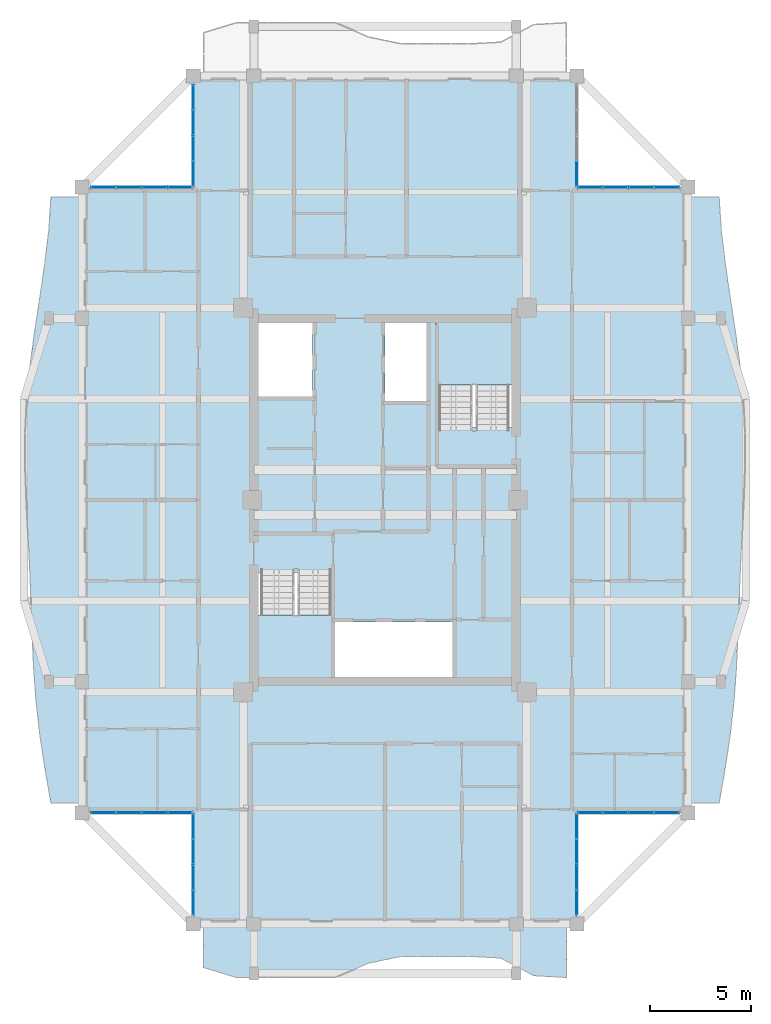
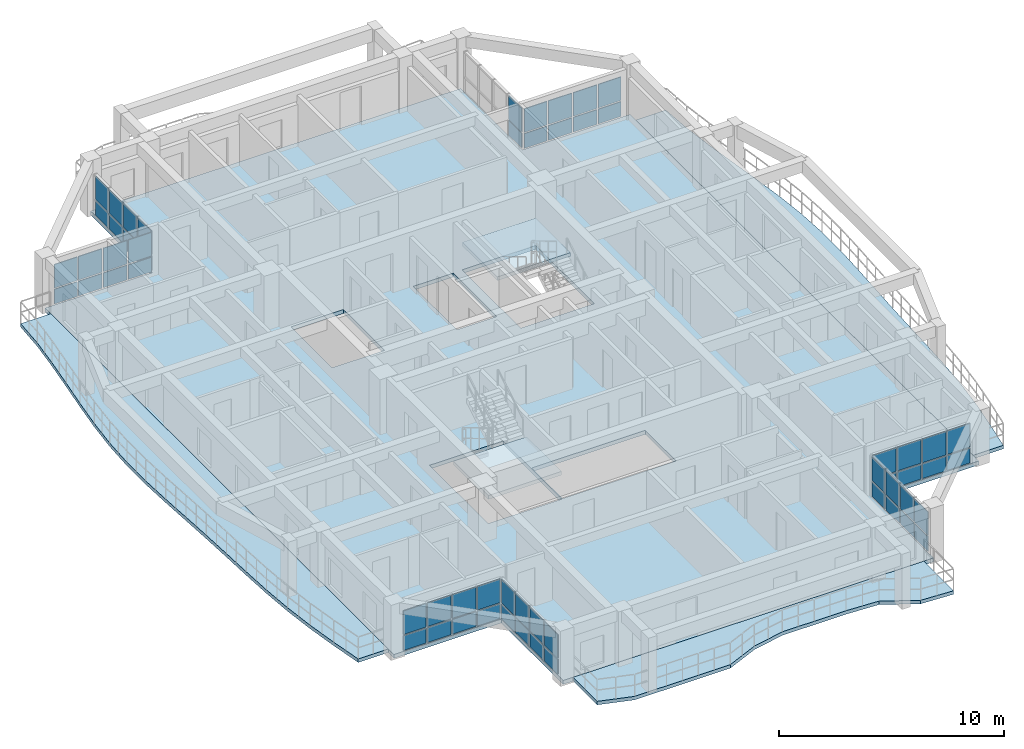
# One storey, part 13 of 24: 58 plates, 6 slabs, 10 elements without a shape of their own.
"""IFC4 building model written with IfcOpenShell, lengths in metres."""

from ifc_helpers import new_model, si_unit, direction, frame, origin, origin_2d, place, context, subcontext, project, spatial, polyline, rectangle, outline, extrude, source, transform, mapped, material, layer, layer_set, type_object, element, aggregate, save


model = new_model("IFC4")

# Units and contexts
model_context = context("Model", 3, precision=1e-05, world=origin(), true_north=direction((0.0, 1.0)))
body_context = subcontext(model_context, "Body", "Model", "MODEL_VIEW")
ifc_project = project(units=[si_unit("LENGTHUNIT", "METRE"), si_unit("AREAUNIT", "SQUARE_METRE"), si_unit("VOLUMEUNIT", "CUBIC_METRE"), si_unit("PLANEANGLEUNIT", "RADIAN"), si_unit("MASSUNIT", "GRAM", prefix="KILO")], contexts=[model_context])

# Site, building, storey
site_placement = place(None, origin())
site = spatial("IfcSite", under=ifc_project, at=site_placement, CompositionType="ELEMENT")
building_placement = place(site_placement, origin())
building = spatial("IfcBuilding", under=site, at=building_placement, Name="Saelheon Loggia Tower", CompositionType="ELEMENT")
storey_placement = place(building_placement, frame((0.0, 0.0, 246.0)))
storey = spatial("IfcBuildingStorey", under=building, at=storey_placement, Name="L76", CompositionType="ELEMENT", Elevation=246.0)

# Slabs
ifc_material_1 = material(Name="Precast Concrete C45/55", Category="concrete")
ifc_layer_1 = layer(ifc_material_1, 0.18994140625)
ifc_layer_set_1 = layer_set([ifc_layer_1], Name="Precast Concrete C45/55")
slab_type_1 = type_object("IfcSlabType", Name="Slab_Loggia_Ext_190", PredefinedType="FLOOR", material=ifc_layer_set_1)
slab_1_placement = place(storey_placement, frame((0.0, 0.0, -0.18994140625)))
element("IfcSlab", 1, at=slab_1_placement, inside=storey, type_object=slab_type_1, Name="L76 Loggia Balcony Slab S", PredefinedType="FLOOR", context=body_context, shape_type="SweptSolid", body=[
    extrude(outline(polyline([(29.0, 3.85009765625), (30.636474609375, 3.35009765625), (32.272705078125, 3.35009765625), (33.9091796875, 3.35009765625), (35.54541015625, 3.35009765625), (37.181884765625, 4.056884765625), (38.818115234375, 4.39990234375), (40.45458984375, 4.39990234375), (42.0908203125, 4.39990234375), (43.727294921875, 4.314697265625), (45.363525390625, 3.44140625), (47.0, 3.35009765625), (47.0, 6.0), (29.0, 6.0), (29.0, 3.85009765625)])), origin(), (0.0, 0.0, 1.0), 0.18994140625),
])
slab_2_placement = place(storey_placement, frame((0.0, 0.0, -0.18994140625)))
element("IfcSlab", 2, at=slab_2_placement, inside=storey, type_object=slab_type_1, Name="L76 Loggia Balcony Slab E", PredefinedType="FLOOR", context=body_context, shape_type="SweptSolid", body=[
    extrude(outline(polyline([(53.0, 12.0), (54.550048828125, 12.0), (54.841796875, 13.666748046875), (55.094482421875, 15.333251953125), (55.283447265625, 17.0), (55.406494140625, 18.666748046875), (55.48193359375, 20.333251953125), (55.53955078125, 22.0), (55.6044921875, 23.666748046875), (55.68603515625, 25.333251953125), (55.771240234375, 27.0), (55.8310546875, 28.666748046875), (55.83154296875, 30.333251953125), (55.75, 32.0), (55.584716796875, 33.666748046875), (55.356689453125, 35.333251953125), (55.102783203125, 37.0), (54.861328125, 38.666748046875), (54.6572265625, 40.333251953125), (54.550048828125, 42.0), (53.0, 42.0), (53.0, 12.0)])), origin(), (0.0, 0.0, 1.0), 0.18994140625),
])
slab_3_placement = place(storey_placement, frame((0.0, 0.0, -0.18994140625)))
element("IfcSlab", 3, at=slab_3_placement, inside=storey, type_object=slab_type_1, Name="L76 Loggia Balcony Slab W", PredefinedType="FLOOR", context=body_context, shape_type="SweptSolid", body=[
    extrude(outline(polyline([(23.0, 12.0), (23.0, 42.0), (21.449951171875, 42.0), (21.3427734375, 40.333251953125), (21.138671875, 38.666748046875), (20.897216796875, 37.0), (20.643310546875, 35.333251953125), (20.415283203125, 33.666748046875), (20.25, 32.0), (20.16845703125, 30.333251953125), (20.1689453125, 28.666748046875), (20.228759765625, 27.0), (20.31396484375, 25.333251953125), (20.3955078125, 23.666748046875), (20.46044921875, 22.0), (20.51806640625, 20.333251953125), (20.593505859375, 18.666748046875), (20.716552734375, 17.0), (20.905517578125, 15.333251953125), (21.158203125, 13.666748046875), (21.449951171875, 12.0), (23.0, 12.0)])), origin(), (0.0, 0.0, 1.0), 0.18994140625),
])

# Stair, slab
ifc_material_2 = material(Name="Concrete C40/50", Category="concrete")
stair_type = type_object("IfcStairType", Name="Stair_Escape_Core", PredefinedType="HALF_TURN_STAIR", material=ifc_material_2)
stair_1_placement = place(storey_placement, origin())
stair_1 = element("IfcStair", 4, at=stair_1_placement, inside=storey, type_object=stair_type, Name="L76 Special Escape Stair ST1", PredefinedType="HALF_TURN_STAIR")
ifc_layer_2 = layer(ifc_material_2, 0.199951171875)
ifc_layer_set_2 = layer_set([ifc_layer_2], Name="Concrete C40/50")
slab_type_2 = type_object("IfcSlabType", Name="Slab_StairLanding_ST1", PredefinedType="LANDING", material=ifc_layer_set_2)
slab_4_placement = place(storey_placement, frame((0.0, 0.0, 1.300048828125)))
slab_4 = element("IfcSlab", 5, at=slab_4_placement, type_object=slab_type_2, Name="ST1 landing 1", PredefinedType="LANDING", context=body_context, shape_type="SweptSolid", body=[
    extrude(outline(polyline([(31.7099609375, 21.31005859375), (31.7099609375, 18.2099609375), (35.469970703125, 18.2099609375), (35.469970703125, 21.31005859375), (31.7099609375, 21.31005859375)])), origin(), (0.0, 0.0, 1.0), 0.199951171875),
])
aggregate(stair_1, [slab_4])

stair_2_placement = place(storey_placement, origin())
stair_2 = element("IfcStair", 6, at=stair_2_placement, inside=storey, type_object=stair_type, Name="L76 Special Escape Stair ST2", PredefinedType="HALF_TURN_STAIR")
ifc_layer_3 = layer(ifc_material_2, 0.199951171875)
ifc_layer_set_3 = layer_set([ifc_layer_3], Name="Concrete C40/50")
slab_type_3 = type_object("IfcSlabType", Name="Slab_StairLanding_ST2", PredefinedType="LANDING", material=ifc_layer_set_3)
slab_5_placement = place(storey_placement, frame((0.0, 0.0, 1.300048828125)))
slab_5 = element("IfcSlab", 7, at=slab_5_placement, type_object=slab_type_3, Name="ST2 landing 1", PredefinedType="LANDING", context=body_context, shape_type="SweptSolid", body=[
    extrude(outline(polyline([(44.2900390625, 32.68994140625), (44.2900390625, 35.7900390625), (40.530029296875, 35.7900390625), (40.530029296875, 32.68994140625), (44.2900390625, 32.68994140625)])), origin(), (0.0, 0.0, 1.0), 0.199951171875),
])
aggregate(stair_2, [slab_5])

# Slab
ifc_layer_4 = layer(ifc_material_2, 0.2099609375)
ifc_layer_set_4 = layer_set([ifc_layer_4], Name="Concrete C40/50")
slab_type_4 = type_object("IfcSlabType", Name="Slab_Tower_210", PredefinedType="FLOOR", material=ifc_layer_set_4)
slab_6_placement = place(storey_placement, frame((0.0, 0.0, -0.2099609375)))
element("IfcSlab", 8, at=slab_6_placement, inside=storey, type_object=slab_type_4, Name="L76 Tower Floor Slab", PredefinedType="FLOOR", context=body_context, shape_type="SweptSolid", body=[
    extrude(outline(polyline([(28.5, 6.0), (47.5, 6.0), (47.5, 11.5), (53.0, 11.5), (53.0, 42.5), (47.5, 42.5), (47.5, 48.0), (28.5, 48.0), (28.5, 42.5), (23.0, 42.5), (23.0, 11.5), (28.5, 11.5), (28.5, 6.0)]), holes=[polyline([(31.699951171875, 23.409912109375), (31.699951171875, 18.199951171875), (35.47998046875, 18.199951171875), (35.47998046875, 23.409912109375), (31.699951171875, 23.409912109375)]), polyline([(44.300048828125, 30.590087890625), (44.300048828125, 35.800048828125), (40.52001953125, 35.800048828125), (40.52001953125, 30.590087890625), (44.300048828125, 30.590087890625)]), polyline([(35.530029296875, 18.22509765625), (41.35009765625, 18.22509765625), (41.35009765625, 20.9599609375), (35.530029296875, 20.9599609375), (35.530029296875, 18.22509765625)]), polyline([(31.72509765625, 32.1201171875), (34.419921875, 32.1201171875), (34.419921875, 35.77490234375), (31.72509765625, 35.77490234375), (31.72509765625, 32.1201171875)]), polyline([(38.0, 31.89990234375), (40.050048828125, 31.89990234375), (40.050048828125, 35.77490234375), (38.0, 35.77490234375), (38.0, 31.89990234375)])]), origin(), (0.0, 0.0, 1.0), 0.2099609375),
])

# Curtain wall, plates
ifc_material_3 = material(Name="High-Wind Aluminium and Triple Laminated Glass", Category="aluminium")
ifc_layer_5 = layer(ifc_material_3, 0.179931640625)
ifc_layer_set_5 = layer_set([ifc_layer_5], Name="High-Wind Aluminium and Triple Laminated Glass")
curtain_wall_type = type_object("IfcCurtainWallType", Name="CW_TowerLoggiaHigh", PredefinedType="NOTDEFINED", material=ifc_layer_set_5)
curtain_wall_1_placement = place(storey_placement, origin())
curtain_wall_1 = element("IfcCurtainWall", 9, at=curtain_wall_1_placement, inside=storey, type_object=curtain_wall_type, Name="L76 Corner Notch Glazing SW1", PredefinedType="NOTDEFINED")
ifc_material_4 = material(Name="Triple Low-E Laminated Glazing", Category="glass")
ifc_layer_6 = layer(ifc_material_4, 0.0439453125)
ifc_layer_set_6 = layer_set([ifc_layer_6], Name="Triple Low-E Laminated Glazing")
plate_type = type_object("IfcPlateType", Name="CW_TowerLoggiaHigh_Panel", PredefinedType="CURTAIN_PANEL", material=ifc_layer_set_6)
shared_shape_1 = source(origin(), body_context, "Body", "SweptSolid", [
    extrude(rectangle(XDim=1.172607421875, YDim=0.0439453125, at=origin_2d()), origin(), (0.0, 0.0, 1.0), 0.794921875),
])
plate_1_placement = place(storey_placement, frame((28.5, 7.046142578125, 0.070068359375), z_axis=(0.0, 0.0, 1.0), x_axis=(0.0, 1.0, 0.0)))
plate_1 = element("IfcPlate", 10, at=plate_1_placement, type_object=plate_type, Name="CW4 panel 1.1", PredefinedType="CURTAIN_PANEL", context=body_context, shape_type="MappedRepresentation", body=[
    mapped(shared_shape_1, transform((0.0, 0.0, 0.0), scale=1.0)),
])
plate_2_placement = place(storey_placement, frame((28.5, 10.84375, 0.070068359375), z_axis=(0.0, 0.0, 1.0), x_axis=(0.0, 1.0, 0.0)))
plate_2 = element("IfcPlate", 11, at=plate_2_placement, type_object=plate_type, Name="CW4 panel 4.1", PredefinedType="CURTAIN_PANEL", context=body_context, shape_type="MappedRepresentation", body=[
    mapped(shared_shape_1, transform((0.0, 0.0, 0.0), scale=1.0)),
])

curtain_wall_2_placement = place(storey_placement, origin())
curtain_wall_2 = element("IfcCurtainWall", 12, at=curtain_wall_2_placement, inside=storey, type_object=curtain_wall_type, Name="L76 Corner Notch Glazing SW2", PredefinedType="NOTDEFINED")
plate_3_placement = place(storey_placement, frame((24.046142578125, 11.5, 0.070068359375), z_axis=(0.0, 0.0, 1.0), x_axis=(1.0, 0.0, 0.0)))
plate_3 = element("IfcPlate", 13, at=plate_3_placement, type_object=plate_type, Name="CW4 panel 1.1", PredefinedType="CURTAIN_PANEL", context=body_context, shape_type="MappedRepresentation", body=[
    mapped(shared_shape_1, transform((0.0, 0.0, 0.0), scale=1.0)),
])
plate_4_placement = place(storey_placement, frame((27.84375, 11.5, 0.070068359375), z_axis=(0.0, 0.0, 1.0), x_axis=(1.0, 0.0, 0.0)))
plate_4 = element("IfcPlate", 14, at=plate_4_placement, type_object=plate_type, Name="CW4 panel 4.1", PredefinedType="CURTAIN_PANEL", context=body_context, shape_type="MappedRepresentation", body=[
    mapped(shared_shape_1, transform((0.0, 0.0, 0.0), scale=1.0)),
])

curtain_wall_3_placement = place(storey_placement, origin())
curtain_wall_3 = element("IfcCurtainWall", 15, at=curtain_wall_3_placement, inside=storey, type_object=curtain_wall_type, Name="L76 Corner Notch Glazing SE1", PredefinedType="NOTDEFINED")
plate_5_placement = place(storey_placement, frame((47.5, 7.046142578125, 0.070068359375), z_axis=(0.0, 0.0, 1.0), x_axis=(0.0, 1.0, 0.0)))
plate_5 = element("IfcPlate", 16, at=plate_5_placement, type_object=plate_type, Name="CW4 panel 1.1", PredefinedType="CURTAIN_PANEL", context=body_context, shape_type="MappedRepresentation", body=[
    mapped(shared_shape_1, transform((0.0, 0.0, 0.0), scale=1.0)),
])
plate_6_placement = place(storey_placement, frame((47.5, 10.84375, 0.070068359375), z_axis=(0.0, 0.0, 1.0), x_axis=(0.0, 1.0, 0.0)))
plate_6 = element("IfcPlate", 17, at=plate_6_placement, type_object=plate_type, Name="CW4 panel 4.1", PredefinedType="CURTAIN_PANEL", context=body_context, shape_type="MappedRepresentation", body=[
    mapped(shared_shape_1, transform((0.0, 0.0, 0.0), scale=1.0)),
])

curtain_wall_4_placement = place(storey_placement, origin())
curtain_wall_4 = element("IfcCurtainWall", 18, at=curtain_wall_4_placement, inside=storey, type_object=curtain_wall_type, Name="L76 Corner Notch Glazing SE2", PredefinedType="NOTDEFINED")
plate_7_placement = place(storey_placement, frame((48.15625, 11.5, 0.070068359375), z_axis=(0.0, 0.0, 1.0), x_axis=(1.0, 0.0, 0.0)))
plate_7 = element("IfcPlate", 19, at=plate_7_placement, type_object=plate_type, Name="CW4 panel 1.1", PredefinedType="CURTAIN_PANEL", context=body_context, shape_type="MappedRepresentation", body=[
    mapped(shared_shape_1, transform((0.0, 0.0, 0.0), scale=1.0)),
])
plate_8_placement = place(storey_placement, frame((51.953857421875, 11.5, 0.070068359375), z_axis=(0.0, 0.0, 1.0), x_axis=(1.0, 0.0, 0.0)))
plate_8 = element("IfcPlate", 20, at=plate_8_placement, type_object=plate_type, Name="CW4 panel 4.1", PredefinedType="CURTAIN_PANEL", context=body_context, shape_type="MappedRepresentation", body=[
    mapped(shared_shape_1, transform((0.0, 0.0, 0.0), scale=1.0)),
])

curtain_wall_5_placement = place(storey_placement, origin())
curtain_wall_5 = element("IfcCurtainWall", 21, at=curtain_wall_5_placement, inside=storey, type_object=curtain_wall_type, Name="L76 Corner Notch Glazing NW1", PredefinedType="NOTDEFINED")
plate_9_placement = place(storey_placement, frame((28.5, 43.15625, 0.070068359375), z_axis=(0.0, 0.0, 1.0), x_axis=(0.0, 1.0, 0.0)))
plate_9 = element("IfcPlate", 22, at=plate_9_placement, type_object=plate_type, Name="CW4 panel 1.1", PredefinedType="CURTAIN_PANEL", context=body_context, shape_type="MappedRepresentation", body=[
    mapped(shared_shape_1, transform((0.0, 0.0, 0.0), scale=1.0)),
])
plate_10_placement = place(storey_placement, frame((28.5, 46.953857421875, 0.070068359375), z_axis=(0.0, 0.0, 1.0), x_axis=(0.0, 1.0, 0.0)))
plate_10 = element("IfcPlate", 23, at=plate_10_placement, type_object=plate_type, Name="CW4 panel 4.1", PredefinedType="CURTAIN_PANEL", context=body_context, shape_type="MappedRepresentation", body=[
    mapped(shared_shape_1, transform((0.0, 0.0, 0.0), scale=1.0)),
])

curtain_wall_6_placement = place(storey_placement, origin())
curtain_wall_6 = element("IfcCurtainWall", 24, at=curtain_wall_6_placement, inside=storey, type_object=curtain_wall_type, Name="L76 Corner Notch Glazing NW2", PredefinedType="NOTDEFINED")
plate_11_placement = place(storey_placement, frame((24.046142578125, 42.5, 0.070068359375), z_axis=(0.0, 0.0, 1.0), x_axis=(1.0, 0.0, 0.0)))
plate_11 = element("IfcPlate", 25, at=plate_11_placement, type_object=plate_type, Name="CW4 panel 1.1", PredefinedType="CURTAIN_PANEL", context=body_context, shape_type="MappedRepresentation", body=[
    mapped(shared_shape_1, transform((0.0, 0.0, 0.0), scale=1.0)),
])
plate_12_placement = place(storey_placement, frame((27.84375, 42.5, 0.070068359375), z_axis=(0.0, 0.0, 1.0), x_axis=(1.0, 0.0, 0.0)))
plate_12 = element("IfcPlate", 26, at=plate_12_placement, type_object=plate_type, Name="CW4 panel 4.1", PredefinedType="CURTAIN_PANEL", context=body_context, shape_type="MappedRepresentation", body=[
    mapped(shared_shape_1, transform((0.0, 0.0, 0.0), scale=1.0)),
])

# Curtain wall, plate
curtain_wall_7_placement = place(storey_placement, origin())
curtain_wall_7 = element("IfcCurtainWall", 27, at=curtain_wall_7_placement, inside=storey, type_object=curtain_wall_type, Name="L76 Corner Notch Glazing NE1", PredefinedType="NOTDEFINED")
plate_13_placement = place(storey_placement, frame((47.5, 43.15625, 0.070068359375), z_axis=(0.0, 0.0, 1.0), x_axis=(0.0, 1.0, 0.0)))
plate_13 = element("IfcPlate", 28, at=plate_13_placement, type_object=plate_type, Name="CW4 panel 1.1", PredefinedType="CURTAIN_PANEL", context=body_context, shape_type="MappedRepresentation", body=[
    mapped(shared_shape_1, transform((0.0, 0.0, 0.0), scale=1.0)),
])

# Curtain wall, plates
curtain_wall_8_placement = place(storey_placement, origin())
curtain_wall_8 = element("IfcCurtainWall", 29, at=curtain_wall_8_placement, inside=storey, type_object=curtain_wall_type, Name="L76 Corner Notch Glazing NE2", PredefinedType="NOTDEFINED")
plate_14_placement = place(storey_placement, frame((48.15625, 42.5, 0.070068359375), z_axis=(0.0, 0.0, 1.0), x_axis=(1.0, 0.0, 0.0)))
plate_14 = element("IfcPlate", 30, at=plate_14_placement, type_object=plate_type, Name="CW4 panel 1.1", PredefinedType="CURTAIN_PANEL", context=body_context, shape_type="MappedRepresentation", body=[
    mapped(shared_shape_1, transform((0.0, 0.0, 0.0), scale=1.0)),
])
plate_15_placement = place(storey_placement, frame((51.953857421875, 42.5, 0.070068359375), z_axis=(0.0, 0.0, 1.0), x_axis=(1.0, 0.0, 0.0)))
plate_15 = element("IfcPlate", 31, at=plate_15_placement, type_object=plate_type, Name="CW4 panel 4.1", PredefinedType="CURTAIN_PANEL", context=body_context, shape_type="MappedRepresentation", body=[
    mapped(shared_shape_1, transform((0.0, 0.0, 0.0), scale=1.0)),
])

# Plate
shared_shape_2 = source(origin(), body_context, "Body", "SweptSolid", [
    extrude(rectangle(XDim=1.20751953125, YDim=0.0439453125, at=origin_2d()), origin(), (0.0, 0.0, 1.0), 0.794921875),
])
plate_16_placement = place(storey_placement, frame((28.5, 8.30615234375, 0.070068359375), z_axis=(0.0, 0.0, 1.0), x_axis=(0.0, 1.0, 0.0)))
plate_16 = element("IfcPlate", 32, at=plate_16_placement, type_object=plate_type, Name="CW4 panel 2.1", PredefinedType="CURTAIN_PANEL", context=body_context, shape_type="MappedRepresentation", body=[
    mapped(shared_shape_2, transform((0.0, 0.0, 0.0), scale=1.0)),
])

plate_17_placement = place(storey_placement, frame((28.5, 9.583740234375, 0.070068359375), z_axis=(0.0, 0.0, 1.0), x_axis=(0.0, 1.0, 0.0)))
plate_17 = element("IfcPlate", 33, at=plate_17_placement, type_object=plate_type, Name="CW4 panel 3.1", PredefinedType="CURTAIN_PANEL", context=body_context, shape_type="MappedRepresentation", body=[
    mapped(shared_shape_2, transform((0.0, 0.0, 0.0), scale=1.0)),
])

plate_18_placement = place(storey_placement, frame((25.30615234375, 11.5, 0.070068359375), z_axis=(0.0, 0.0, 1.0), x_axis=(1.0, 0.0, 0.0)))
plate_18 = element("IfcPlate", 34, at=plate_18_placement, type_object=plate_type, Name="CW4 panel 2.1", PredefinedType="CURTAIN_PANEL", context=body_context, shape_type="MappedRepresentation", body=[
    mapped(shared_shape_2, transform((0.0, 0.0, 0.0), scale=1.0)),
])

plate_19_placement = place(storey_placement, frame((26.583740234375, 11.5, 0.070068359375), z_axis=(0.0, 0.0, 1.0), x_axis=(1.0, 0.0, 0.0)))
plate_19 = element("IfcPlate", 35, at=plate_19_placement, type_object=plate_type, Name="CW4 panel 3.1", PredefinedType="CURTAIN_PANEL", context=body_context, shape_type="MappedRepresentation", body=[
    mapped(shared_shape_2, transform((0.0, 0.0, 0.0), scale=1.0)),
])

plate_20_placement = place(storey_placement, frame((47.5, 8.30615234375, 0.070068359375), z_axis=(0.0, 0.0, 1.0), x_axis=(0.0, 1.0, 0.0)))
plate_20 = element("IfcPlate", 36, at=plate_20_placement, type_object=plate_type, Name="CW4 panel 2.1", PredefinedType="CURTAIN_PANEL", context=body_context, shape_type="MappedRepresentation", body=[
    mapped(shared_shape_2, transform((0.0, 0.0, 0.0), scale=1.0)),
])

plate_21_placement = place(storey_placement, frame((47.5, 9.583740234375, 0.070068359375), z_axis=(0.0, 0.0, 1.0), x_axis=(0.0, 1.0, 0.0)))
plate_21 = element("IfcPlate", 37, at=plate_21_placement, type_object=plate_type, Name="CW4 panel 3.1", PredefinedType="CURTAIN_PANEL", context=body_context, shape_type="MappedRepresentation", body=[
    mapped(shared_shape_2, transform((0.0, 0.0, 0.0), scale=1.0)),
])

plate_22_placement = place(storey_placement, frame((49.416259765625, 11.5, 0.070068359375), z_axis=(0.0, 0.0, 1.0), x_axis=(1.0, 0.0, 0.0)))
plate_22 = element("IfcPlate", 38, at=plate_22_placement, type_object=plate_type, Name="CW4 panel 2.1", PredefinedType="CURTAIN_PANEL", context=body_context, shape_type="MappedRepresentation", body=[
    mapped(shared_shape_2, transform((0.0, 0.0, 0.0), scale=1.0)),
])

plate_23_placement = place(storey_placement, frame((50.69384765625, 11.5, 0.070068359375), z_axis=(0.0, 0.0, 1.0), x_axis=(1.0, 0.0, 0.0)))
plate_23 = element("IfcPlate", 39, at=plate_23_placement, type_object=plate_type, Name="CW4 panel 3.1", PredefinedType="CURTAIN_PANEL", context=body_context, shape_type="MappedRepresentation", body=[
    mapped(shared_shape_2, transform((0.0, 0.0, 0.0), scale=1.0)),
])

plate_24_placement = place(storey_placement, frame((28.5, 44.416259765625, 0.070068359375), z_axis=(0.0, 0.0, 1.0), x_axis=(0.0, 1.0, 0.0)))
plate_24 = element("IfcPlate", 40, at=plate_24_placement, type_object=plate_type, Name="CW4 panel 2.1", PredefinedType="CURTAIN_PANEL", context=body_context, shape_type="MappedRepresentation", body=[
    mapped(shared_shape_2, transform((0.0, 0.0, 0.0), scale=1.0)),
])

plate_25_placement = place(storey_placement, frame((28.5, 45.69384765625, 0.070068359375), z_axis=(0.0, 0.0, 1.0), x_axis=(0.0, 1.0, 0.0)))
plate_25 = element("IfcPlate", 41, at=plate_25_placement, type_object=plate_type, Name="CW4 panel 3.1", PredefinedType="CURTAIN_PANEL", context=body_context, shape_type="MappedRepresentation", body=[
    mapped(shared_shape_2, transform((0.0, 0.0, 0.0), scale=1.0)),
])

plate_26_placement = place(storey_placement, frame((25.30615234375, 42.5, 0.070068359375), z_axis=(0.0, 0.0, 1.0), x_axis=(1.0, 0.0, 0.0)))
plate_26 = element("IfcPlate", 42, at=plate_26_placement, type_object=plate_type, Name="CW4 panel 2.1", PredefinedType="CURTAIN_PANEL", context=body_context, shape_type="MappedRepresentation", body=[
    mapped(shared_shape_2, transform((0.0, 0.0, 0.0), scale=1.0)),
])

plate_27_placement = place(storey_placement, frame((26.583740234375, 42.5, 0.070068359375), z_axis=(0.0, 0.0, 1.0), x_axis=(1.0, 0.0, 0.0)))
plate_27 = element("IfcPlate", 43, at=plate_27_placement, type_object=plate_type, Name="CW4 panel 3.1", PredefinedType="CURTAIN_PANEL", context=body_context, shape_type="MappedRepresentation", body=[
    mapped(shared_shape_2, transform((0.0, 0.0, 0.0), scale=1.0)),
])

plate_28_placement = place(storey_placement, frame((49.416259765625, 42.5, 0.070068359375), z_axis=(0.0, 0.0, 1.0), x_axis=(1.0, 0.0, 0.0)))
plate_28 = element("IfcPlate", 44, at=plate_28_placement, type_object=plate_type, Name="CW4 panel 2.1", PredefinedType="CURTAIN_PANEL", context=body_context, shape_type="MappedRepresentation", body=[
    mapped(shared_shape_2, transform((0.0, 0.0, 0.0), scale=1.0)),
])

plate_29_placement = place(storey_placement, frame((50.69384765625, 42.5, 0.070068359375), z_axis=(0.0, 0.0, 1.0), x_axis=(1.0, 0.0, 0.0)))
plate_29 = element("IfcPlate", 45, at=plate_29_placement, type_object=plate_type, Name="CW4 panel 3.1", PredefinedType="CURTAIN_PANEL", context=body_context, shape_type="MappedRepresentation", body=[
    mapped(shared_shape_2, transform((0.0, 0.0, 0.0), scale=1.0)),
])

shared_shape_3 = source(origin(), body_context, "Body", "SweptSolid", [
    extrude(rectangle(XDim=1.172607421875, YDim=0.0439453125, at=origin_2d()), origin(), (0.0, 0.0, 1.0), 1.27490234375),
])
plate_30_placement = place(storey_placement, frame((28.5, 7.046142578125, 0.93505859375), z_axis=(0.0, 0.0, 1.0), x_axis=(0.0, 1.0, 0.0)))
plate_30 = element("IfcPlate", 46, at=plate_30_placement, type_object=plate_type, Name="CW4 panel 1.2", PredefinedType="CURTAIN_PANEL", context=body_context, shape_type="MappedRepresentation", body=[
    mapped(shared_shape_3, transform((0.0, 0.0, 0.0), scale=1.0)),
])

plate_31_placement = place(storey_placement, frame((28.5, 10.84375, 0.93505859375), z_axis=(0.0, 0.0, 1.0), x_axis=(0.0, 1.0, 0.0)))
plate_31 = element("IfcPlate", 47, at=plate_31_placement, type_object=plate_type, Name="CW4 panel 4.2", PredefinedType="CURTAIN_PANEL", context=body_context, shape_type="MappedRepresentation", body=[
    mapped(shared_shape_3, transform((0.0, 0.0, 0.0), scale=1.0)),
])

plate_32_placement = place(storey_placement, frame((24.046142578125, 11.5, 0.93505859375), z_axis=(0.0, 0.0, 1.0), x_axis=(1.0, 0.0, 0.0)))
plate_32 = element("IfcPlate", 48, at=plate_32_placement, type_object=plate_type, Name="CW4 panel 1.2", PredefinedType="CURTAIN_PANEL", context=body_context, shape_type="MappedRepresentation", body=[
    mapped(shared_shape_3, transform((0.0, 0.0, 0.0), scale=1.0)),
])

plate_33_placement = place(storey_placement, frame((27.84375, 11.5, 0.93505859375), z_axis=(0.0, 0.0, 1.0), x_axis=(1.0, 0.0, 0.0)))
plate_33 = element("IfcPlate", 49, at=plate_33_placement, type_object=plate_type, Name="CW4 panel 4.2", PredefinedType="CURTAIN_PANEL", context=body_context, shape_type="MappedRepresentation", body=[
    mapped(shared_shape_3, transform((0.0, 0.0, 0.0), scale=1.0)),
])

plate_34_placement = place(storey_placement, frame((47.5, 7.046142578125, 0.93505859375), z_axis=(0.0, 0.0, 1.0), x_axis=(0.0, 1.0, 0.0)))
plate_34 = element("IfcPlate", 50, at=plate_34_placement, type_object=plate_type, Name="CW4 panel 1.2", PredefinedType="CURTAIN_PANEL", context=body_context, shape_type="MappedRepresentation", body=[
    mapped(shared_shape_3, transform((0.0, 0.0, 0.0), scale=1.0)),
])

plate_35_placement = place(storey_placement, frame((47.5, 10.84375, 0.93505859375), z_axis=(0.0, 0.0, 1.0), x_axis=(0.0, 1.0, 0.0)))
plate_35 = element("IfcPlate", 51, at=plate_35_placement, type_object=plate_type, Name="CW4 panel 4.2", PredefinedType="CURTAIN_PANEL", context=body_context, shape_type="MappedRepresentation", body=[
    mapped(shared_shape_3, transform((0.0, 0.0, 0.0), scale=1.0)),
])

plate_36_placement = place(storey_placement, frame((48.15625, 11.5, 0.93505859375), z_axis=(0.0, 0.0, 1.0), x_axis=(1.0, 0.0, 0.0)))
plate_36 = element("IfcPlate", 52, at=plate_36_placement, type_object=plate_type, Name="CW4 panel 1.2", PredefinedType="CURTAIN_PANEL", context=body_context, shape_type="MappedRepresentation", body=[
    mapped(shared_shape_3, transform((0.0, 0.0, 0.0), scale=1.0)),
])

plate_37_placement = place(storey_placement, frame((51.953857421875, 11.5, 0.93505859375), z_axis=(0.0, 0.0, 1.0), x_axis=(1.0, 0.0, 0.0)))
plate_37 = element("IfcPlate", 53, at=plate_37_placement, type_object=plate_type, Name="CW4 panel 4.2", PredefinedType="CURTAIN_PANEL", context=body_context, shape_type="MappedRepresentation", body=[
    mapped(shared_shape_3, transform((0.0, 0.0, 0.0), scale=1.0)),
])

plate_38_placement = place(storey_placement, frame((28.5, 43.15625, 0.93505859375), z_axis=(0.0, 0.0, 1.0), x_axis=(0.0, 1.0, 0.0)))
plate_38 = element("IfcPlate", 54, at=plate_38_placement, type_object=plate_type, Name="CW4 panel 1.2", PredefinedType="CURTAIN_PANEL", context=body_context, shape_type="MappedRepresentation", body=[
    mapped(shared_shape_3, transform((0.0, 0.0, 0.0), scale=1.0)),
])

plate_39_placement = place(storey_placement, frame((28.5, 46.953857421875, 0.93505859375), z_axis=(0.0, 0.0, 1.0), x_axis=(0.0, 1.0, 0.0)))
plate_39 = element("IfcPlate", 55, at=plate_39_placement, type_object=plate_type, Name="CW4 panel 4.2", PredefinedType="CURTAIN_PANEL", context=body_context, shape_type="MappedRepresentation", body=[
    mapped(shared_shape_3, transform((0.0, 0.0, 0.0), scale=1.0)),
])

plate_40_placement = place(storey_placement, frame((24.046142578125, 42.5, 0.93505859375), z_axis=(0.0, 0.0, 1.0), x_axis=(1.0, 0.0, 0.0)))
plate_40 = element("IfcPlate", 56, at=plate_40_placement, type_object=plate_type, Name="CW4 panel 1.2", PredefinedType="CURTAIN_PANEL", context=body_context, shape_type="MappedRepresentation", body=[
    mapped(shared_shape_3, transform((0.0, 0.0, 0.0), scale=1.0)),
])

plate_41_placement = place(storey_placement, frame((27.84375, 42.5, 0.93505859375), z_axis=(0.0, 0.0, 1.0), x_axis=(1.0, 0.0, 0.0)))
plate_41 = element("IfcPlate", 57, at=plate_41_placement, type_object=plate_type, Name="CW4 panel 4.2", PredefinedType="CURTAIN_PANEL", context=body_context, shape_type="MappedRepresentation", body=[
    mapped(shared_shape_3, transform((0.0, 0.0, 0.0), scale=1.0)),
])

plate_42_placement = place(storey_placement, frame((47.5, 43.15625, 0.93505859375), z_axis=(0.0, 0.0, 1.0), x_axis=(0.0, 1.0, 0.0)))
plate_42 = element("IfcPlate", 58, at=plate_42_placement, type_object=plate_type, Name="CW4 panel 1.2", PredefinedType="CURTAIN_PANEL", context=body_context, shape_type="MappedRepresentation", body=[
    mapped(shared_shape_3, transform((0.0, 0.0, 0.0), scale=1.0)),
])

aggregate(curtain_wall_7, [plate_13, plate_42])

plate_43_placement = place(storey_placement, frame((48.15625, 42.5, 0.93505859375), z_axis=(0.0, 0.0, 1.0), x_axis=(1.0, 0.0, 0.0)))
plate_43 = element("IfcPlate", 59, at=plate_43_placement, type_object=plate_type, Name="CW4 panel 1.2", PredefinedType="CURTAIN_PANEL", context=body_context, shape_type="MappedRepresentation", body=[
    mapped(shared_shape_3, transform((0.0, 0.0, 0.0), scale=1.0)),
])

plate_44_placement = place(storey_placement, frame((51.953857421875, 42.5, 0.93505859375), z_axis=(0.0, 0.0, 1.0), x_axis=(1.0, 0.0, 0.0)))
plate_44 = element("IfcPlate", 60, at=plate_44_placement, type_object=plate_type, Name="CW4 panel 4.2", PredefinedType="CURTAIN_PANEL", context=body_context, shape_type="MappedRepresentation", body=[
    mapped(shared_shape_3, transform((0.0, 0.0, 0.0), scale=1.0)),
])

shared_shape_4 = source(origin(), body_context, "Body", "SweptSolid", [
    extrude(rectangle(XDim=1.20751953125, YDim=0.0439453125, at=origin_2d()), origin(), (0.0, 0.0, 1.0), 1.27490234375),
])
plate_45_placement = place(storey_placement, frame((28.5, 8.30615234375, 0.93505859375), z_axis=(0.0, 0.0, 1.0), x_axis=(0.0, 1.0, 0.0)))
plate_45 = element("IfcPlate", 61, at=plate_45_placement, type_object=plate_type, Name="CW4 panel 2.2", PredefinedType="CURTAIN_PANEL", context=body_context, shape_type="MappedRepresentation", body=[
    mapped(shared_shape_4, transform((0.0, 0.0, 0.0), scale=1.0)),
])

plate_46_placement = place(storey_placement, frame((28.5, 9.583740234375, 0.93505859375), z_axis=(0.0, 0.0, 1.0), x_axis=(0.0, 1.0, 0.0)))
plate_46 = element("IfcPlate", 62, at=plate_46_placement, type_object=plate_type, Name="CW4 panel 3.2", PredefinedType="CURTAIN_PANEL", context=body_context, shape_type="MappedRepresentation", body=[
    mapped(shared_shape_4, transform((0.0, 0.0, 0.0), scale=1.0)),
])

aggregate(curtain_wall_1, [plate_1, plate_30, plate_16, plate_45, plate_17, plate_46, plate_2, plate_31])

plate_47_placement = place(storey_placement, frame((25.30615234375, 11.5, 0.93505859375), z_axis=(0.0, 0.0, 1.0), x_axis=(1.0, 0.0, 0.0)))
plate_47 = element("IfcPlate", 63, at=plate_47_placement, type_object=plate_type, Name="CW4 panel 2.2", PredefinedType="CURTAIN_PANEL", context=body_context, shape_type="MappedRepresentation", body=[
    mapped(shared_shape_4, transform((0.0, 0.0, 0.0), scale=1.0)),
])

plate_48_placement = place(storey_placement, frame((26.583740234375, 11.5, 0.93505859375), z_axis=(0.0, 0.0, 1.0), x_axis=(1.0, 0.0, 0.0)))
plate_48 = element("IfcPlate", 64, at=plate_48_placement, type_object=plate_type, Name="CW4 panel 3.2", PredefinedType="CURTAIN_PANEL", context=body_context, shape_type="MappedRepresentation", body=[
    mapped(shared_shape_4, transform((0.0, 0.0, 0.0), scale=1.0)),
])

aggregate(curtain_wall_2, [plate_3, plate_32, plate_18, plate_47, plate_19, plate_48, plate_4, plate_33])

plate_49_placement = place(storey_placement, frame((47.5, 8.30615234375, 0.93505859375), z_axis=(0.0, 0.0, 1.0), x_axis=(0.0, 1.0, 0.0)))
plate_49 = element("IfcPlate", 65, at=plate_49_placement, type_object=plate_type, Name="CW4 panel 2.2", PredefinedType="CURTAIN_PANEL", context=body_context, shape_type="MappedRepresentation", body=[
    mapped(shared_shape_4, transform((0.0, 0.0, 0.0), scale=1.0)),
])

plate_50_placement = place(storey_placement, frame((47.5, 9.583740234375, 0.93505859375), z_axis=(0.0, 0.0, 1.0), x_axis=(0.0, 1.0, 0.0)))
plate_50 = element("IfcPlate", 66, at=plate_50_placement, type_object=plate_type, Name="CW4 panel 3.2", PredefinedType="CURTAIN_PANEL", context=body_context, shape_type="MappedRepresentation", body=[
    mapped(shared_shape_4, transform((0.0, 0.0, 0.0), scale=1.0)),
])

aggregate(curtain_wall_3, [plate_5, plate_34, plate_20, plate_49, plate_21, plate_50, plate_6, plate_35])

plate_51_placement = place(storey_placement, frame((49.416259765625, 11.5, 0.93505859375), z_axis=(0.0, 0.0, 1.0), x_axis=(1.0, 0.0, 0.0)))
plate_51 = element("IfcPlate", 67, at=plate_51_placement, type_object=plate_type, Name="CW4 panel 2.2", PredefinedType="CURTAIN_PANEL", context=body_context, shape_type="MappedRepresentation", body=[
    mapped(shared_shape_4, transform((0.0, 0.0, 0.0), scale=1.0)),
])

plate_52_placement = place(storey_placement, frame((50.69384765625, 11.5, 0.93505859375), z_axis=(0.0, 0.0, 1.0), x_axis=(1.0, 0.0, 0.0)))
plate_52 = element("IfcPlate", 68, at=plate_52_placement, type_object=plate_type, Name="CW4 panel 3.2", PredefinedType="CURTAIN_PANEL", context=body_context, shape_type="MappedRepresentation", body=[
    mapped(shared_shape_4, transform((0.0, 0.0, 0.0), scale=1.0)),
])

aggregate(curtain_wall_4, [plate_7, plate_36, plate_22, plate_51, plate_23, plate_52, plate_8, plate_37])

plate_53_placement = place(storey_placement, frame((28.5, 44.416259765625, 0.93505859375), z_axis=(0.0, 0.0, 1.0), x_axis=(0.0, 1.0, 0.0)))
plate_53 = element("IfcPlate", 69, at=plate_53_placement, type_object=plate_type, Name="CW4 panel 2.2", PredefinedType="CURTAIN_PANEL", context=body_context, shape_type="MappedRepresentation", body=[
    mapped(shared_shape_4, transform((0.0, 0.0, 0.0), scale=1.0)),
])

plate_54_placement = place(storey_placement, frame((28.5, 45.69384765625, 0.93505859375), z_axis=(0.0, 0.0, 1.0), x_axis=(0.0, 1.0, 0.0)))
plate_54 = element("IfcPlate", 70, at=plate_54_placement, type_object=plate_type, Name="CW4 panel 3.2", PredefinedType="CURTAIN_PANEL", context=body_context, shape_type="MappedRepresentation", body=[
    mapped(shared_shape_4, transform((0.0, 0.0, 0.0), scale=1.0)),
])

aggregate(curtain_wall_5, [plate_9, plate_38, plate_24, plate_53, plate_25, plate_54, plate_10, plate_39])

plate_55_placement = place(storey_placement, frame((25.30615234375, 42.5, 0.93505859375), z_axis=(0.0, 0.0, 1.0), x_axis=(1.0, 0.0, 0.0)))
plate_55 = element("IfcPlate", 71, at=plate_55_placement, type_object=plate_type, Name="CW4 panel 2.2", PredefinedType="CURTAIN_PANEL", context=body_context, shape_type="MappedRepresentation", body=[
    mapped(shared_shape_4, transform((0.0, 0.0, 0.0), scale=1.0)),
])

plate_56_placement = place(storey_placement, frame((26.583740234375, 42.5, 0.93505859375), z_axis=(0.0, 0.0, 1.0), x_axis=(1.0, 0.0, 0.0)))
plate_56 = element("IfcPlate", 72, at=plate_56_placement, type_object=plate_type, Name="CW4 panel 3.2", PredefinedType="CURTAIN_PANEL", context=body_context, shape_type="MappedRepresentation", body=[
    mapped(shared_shape_4, transform((0.0, 0.0, 0.0), scale=1.0)),
])

aggregate(curtain_wall_6, [plate_11, plate_40, plate_26, plate_55, plate_27, plate_56, plate_12, plate_41])

plate_57_placement = place(storey_placement, frame((49.416259765625, 42.5, 0.93505859375), z_axis=(0.0, 0.0, 1.0), x_axis=(1.0, 0.0, 0.0)))
plate_57 = element("IfcPlate", 73, at=plate_57_placement, type_object=plate_type, Name="CW4 panel 2.2", PredefinedType="CURTAIN_PANEL", context=body_context, shape_type="MappedRepresentation", body=[
    mapped(shared_shape_4, transform((0.0, 0.0, 0.0), scale=1.0)),
])

plate_58_placement = place(storey_placement, frame((50.69384765625, 42.5, 0.93505859375), z_axis=(0.0, 0.0, 1.0), x_axis=(1.0, 0.0, 0.0)))
plate_58 = element("IfcPlate", 74, at=plate_58_placement, type_object=plate_type, Name="CW4 panel 3.2", PredefinedType="CURTAIN_PANEL", context=body_context, shape_type="MappedRepresentation", body=[
    mapped(shared_shape_4, transform((0.0, 0.0, 0.0), scale=1.0)),
])

aggregate(curtain_wall_8, [plate_14, plate_43, plate_28, plate_57, plate_29, plate_58, plate_15, plate_44])

save(model, "model.ifc")
